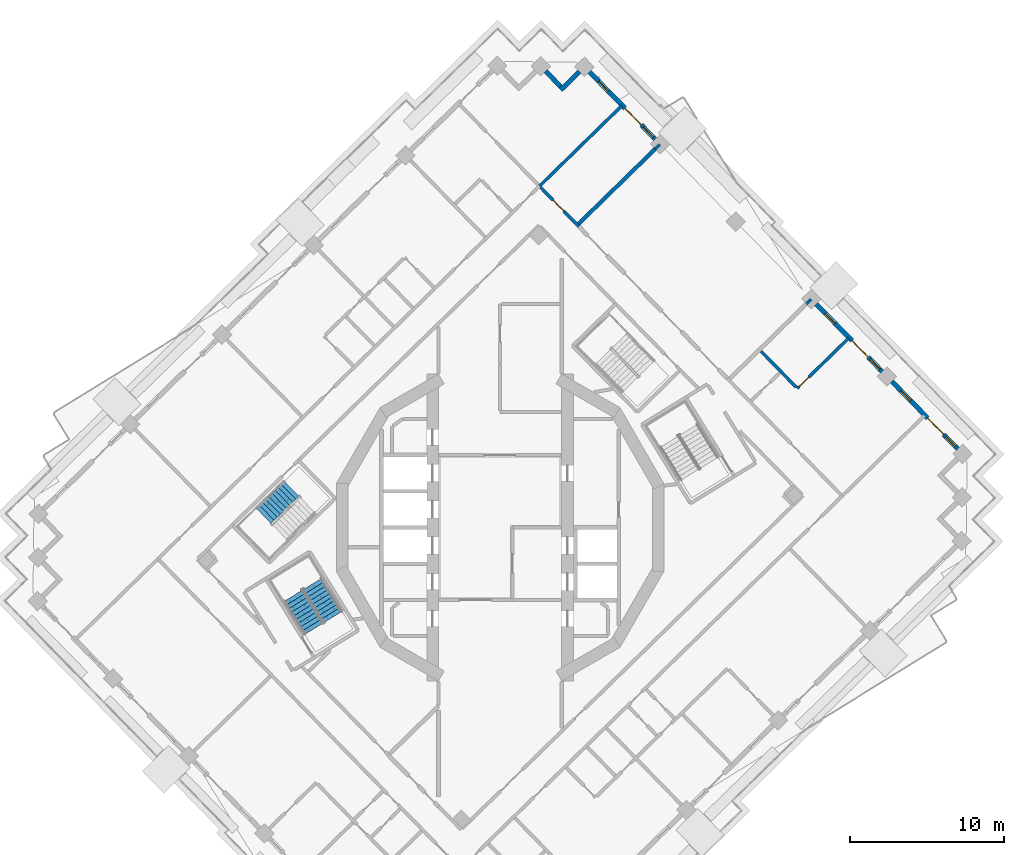
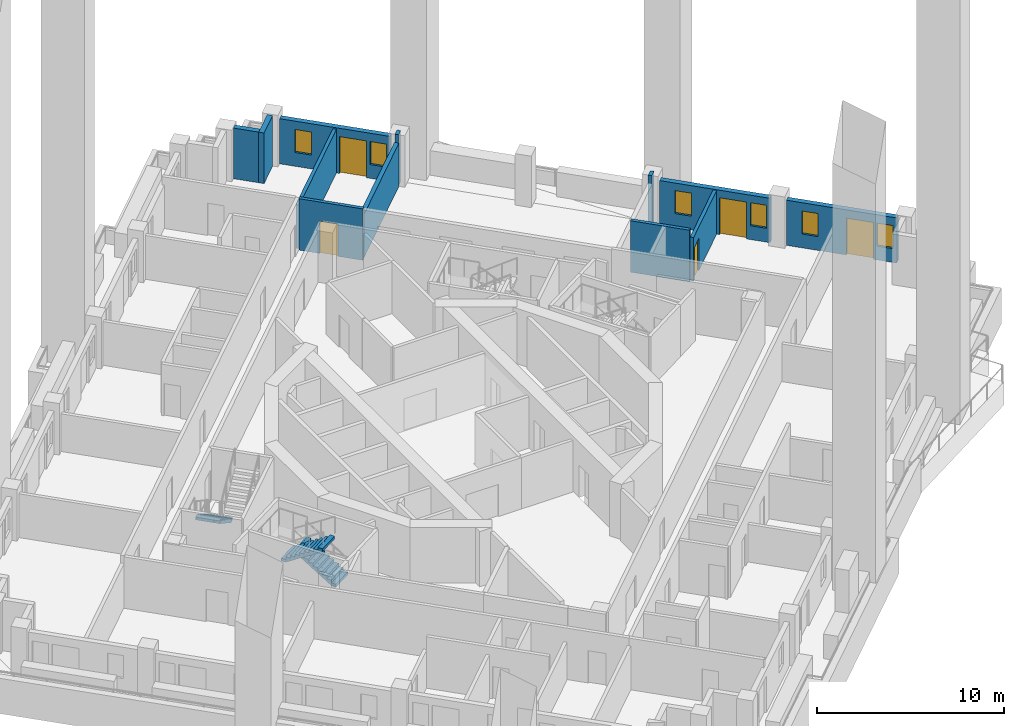
# One storey, part 9 of 17: 12 walls, 6 windows, 5 doors, 3 stair flights, 11 openings, 2 elements without a shape of their own.
"""IFC4 building model written with IfcOpenShell, lengths in metres."""

from ifc_helpers import new_model, si_unit, direction, frame, frame_2d, origin, place, context, subcontext, project, spatial, polyline, rectangle, outline, extrude, material, layer, layer_set, type_object, element, fill, aggregate, save


model = new_model("IFC4")

# Units and contexts
model_context = context("Model", 3, precision=1e-05, world=origin(), true_north=direction((0.0, 1.0)))
body_context = subcontext(model_context, "Body", "Model", "MODEL_VIEW")
ifc_project = project(units=[si_unit("LENGTHUNIT", "METRE"), si_unit("AREAUNIT", "SQUARE_METRE"), si_unit("VOLUMEUNIT", "CUBIC_METRE"), si_unit("PLANEANGLEUNIT", "RADIAN"), si_unit("MASSUNIT", "GRAM", prefix="KILO")], contexts=[model_context])

# Site, building, storey
site_placement = place(None, origin())
site = spatial("IfcSite", under=ifc_project, at=site_placement, CompositionType="ELEMENT")
building_placement = place(site_placement, origin())
building = spatial("IfcBuilding", under=site, at=building_placement, Name="Cantera Rosa Tower", CompositionType="ELEMENT")
storey_placement = place(building_placement, frame((0.0, 0.0, 205.39990234375)))
storey = spatial("IfcBuildingStorey", under=building, at=storey_placement, Name="L43", CompositionType="ELEMENT", Elevation=205.39990234375)

# Wall, opening, door
ifc_material_1 = material(Name="Gypsum board partition")
ifc_layer_1 = layer(ifc_material_1, 0.199951171875)
ifc_layer_set_1 = layer_set([ifc_layer_1], Name="CORRIDOR WALL 200 H3350")
wall_type_1 = type_object("IfcWallType", Name="CORRIDOR WALL 200 H3350", PredefinedType="PARTITIONING", material=ifc_layer_set_1)
wall_1_placement = place(storey_placement, frame((5.10302734375, 19.5322265625, 0.0), z_axis=(0.0, 0.0, 1.0), x_axis=(-0.698794436322, 0.715322539674, 0.0)))
wall_1 = element("IfcWall", 1, at=wall_1_placement, inside=storey, type_object=wall_type_1, Name="CORRIDOR WALL L43-125", PredefinedType="PARTITIONING", context=body_context, shape_type="SweptSolid", body=[
    extrude(rectangle(XDim=3.545166015625, YDim=0.199951171875, at=frame_2d((1.7724609375, 0.0))), origin(), (0.0, 0.0, 1.0), 3.35009765625),
])
opening_1_placement = place(wall_1_placement, frame((1.385009765625, 0.0, 0.0)))
opening_1 = element("IfcOpeningElement", 2, at=opening_1_placement, cuts=wall_1, Name="Opening L43-026", PredefinedType="OPENING", context=body_context, shape_type="SweptSolid", body=[
    extrude(rectangle(XDim=1.0, YDim=2.10009765625, at=frame_2d((0.5, 1.050048828125))), frame((0.0, 0.10986328125, 0.0), z_axis=(0.0, -1.0, 0.0), x_axis=(1.0, 0.0, 0.0)), (0.0, 0.0, 1.0), 0.219970703125),
])
ifc_material_2 = material(Name="Timber door leaf", Category="wood")
door_type_1 = type_object("IfcDoorType", Name="ROOM DOOR 1000x2100", OperationType="NOTDEFINED", PredefinedType="DOOR", material=ifc_material_2)
door_1_placement = place(opening_1_placement, origin())
door_1 = element("IfcDoor", 3, at=door_1_placement, inside=storey, type_object=door_type_1, Name="DOOR L43-026", OperationType="NOTDEFINED", OverallHeight=2.10009765625, OverallWidth=1.0, PredefinedType="DOOR", context=body_context, shape_type="SweptSolid", body=[
    extrude(rectangle(XDim=1.0, YDim=2.10009765625, at=frame_2d((0.5, 1.050048828125))), frame((0.0, 0.02490234375, 0.0), z_axis=(0.0, -1.0, 0.0), x_axis=(1.0, 0.0, 0.0)), (0.0, 0.0, 1.0), 0.050048828125),
])
fill(opening_1, door_1)

# Walls
ifc_material_3 = material(Name="Hollow clay masonry with cantera stone cladding", Category="masonry")
ifc_layer_2 = layer(ifc_material_3, 0.300048828125)
ifc_layer_set_2 = layer_set([ifc_layer_2], Name="EW-LOGGIA 300")
wall_type_2 = type_object("IfcWallType", Name="EW-LOGGIA 300", PredefinedType="SOLIDWALL", material=ifc_layer_set_2)
wall_2_placement = place(storey_placement, frame((5.15283203125, 29.56982421875, 0.0), z_axis=(0.0, 0.0, 1.0), x_axis=(-0.715316077832, -0.69880105094, 0.0)))
element("IfcWall", 4, at=wall_2_placement, inside=storey, type_object=wall_type_2, Name="EN-L43-W05a", PredefinedType="SOLIDWALL", context=body_context, shape_type="SweptSolid", body=[
    extrude(rectangle(XDim=1.699951171875, YDim=0.300048828125, at=frame_2d((0.85009765625, 0.0))), origin(), (0.0, 0.0, 1.0), 3.300048828125),
])
wall_3_placement = place(storey_placement, frame((3.939208984375, 28.593994140625, 0.0), z_axis=(0.0, 0.0, 1.0), x_axis=(-0.698861982187, 0.715256548278, 0.0)))
element("IfcWall", 5, at=wall_3_placement, inside=storey, type_object=wall_type_2, Name="EN-L43-W05b", PredefinedType="SOLIDWALL", context=body_context, shape_type="SweptSolid", body=[
    extrude(rectangle(XDim=1.39990234375, YDim=0.300048828125, at=frame_2d((0.699951171875, 0.0))), origin(), (0.0, 0.0, 1.0), 3.300048828125),
])

# Wall, openings, windows, door
ifc_material_4 = material(Name="Hollow clay masonry with cantera stone cladding", Category="masonry")
ifc_layer_3 = layer(ifc_material_4, 0.300048828125)
ifc_layer_set_3 = layer_set([ifc_layer_3], Name="EW-LOGGIA 300 H2890")
wall_type_3 = type_object("IfcWallType", Name="EW-LOGGIA 300 H2890", PredefinedType="SOLIDWALL", material=ifc_layer_set_3)
wall_4_placement = place(storey_placement, frame((24.783203125, 10.120849609375, 0.0), z_axis=(0.0, 0.0, 1.0), x_axis=(-0.698800768177, 0.715316354067, 0.0)))
wall_4 = element("IfcWall", 6, at=wall_4_placement, inside=storey, type_object=wall_type_3, Name="EN-L43-W01", PredefinedType="SOLIDWALL", context=body_context, shape_type="SweptSolid", body=[
    extrude(rectangle(XDim=6.119873046875, YDim=0.300048828125, at=frame_2d((3.06005859375, 0.0))), origin(), (0.0, 0.0, 1.0), 2.89013671875),
])
opening_2_placement = place(wall_4_placement, frame((0.199951171875, 0.0, 0.89990234375)))
opening_2 = element("IfcOpeningElement", 7, at=opening_2_placement, cuts=wall_4, Name="Opening L43-W01", PredefinedType="OPENING", context=body_context, shape_type="SweptSolid", body=[
    extrude(rectangle(XDim=0.89990234375, YDim=1.5, at=frame_2d((0.449951171875, 0.75))), frame((0.0, 0.159912109375, 0.0), z_axis=(0.0, -1.0, 0.0), x_axis=(1.0, 0.0, 0.0)), (0.0, 0.0, 1.0), 0.320068359375),
])
opening_3_placement = place(wall_4_placement, frame((1.300048828125, 0.0, 0.0)))
opening_3 = element("IfcOpeningElement", 8, at=opening_3_placement, cuts=wall_4, Name="Opening L43-TD02", PredefinedType="OPENING", context=body_context, shape_type="SweptSolid", body=[
    extrude(rectangle(XDim=1.5, YDim=2.39990234375, at=frame_2d((0.75, 1.199951171875))), frame((0.0, 0.159912109375, 0.0), z_axis=(0.0, -1.0, 0.0), x_axis=(1.0, 0.0, 0.0)), (0.0, 0.0, 1.0), 0.320068359375),
])
opening_4_placement = place(wall_4_placement, frame((4.364990234375, 0.0, 0.89990234375)))
opening_4 = element("IfcOpeningElement", 9, at=opening_4_placement, cuts=wall_4, Name="Opening L43-W03", PredefinedType="OPENING", context=body_context, shape_type="SweptSolid", body=[
    extrude(rectangle(XDim=0.89990234375, YDim=1.5, at=frame_2d((0.449951171875, 0.75))), frame((0.0, 0.159912109375, 0.0), z_axis=(0.0, -1.0, 0.0), x_axis=(1.0, 0.0, 0.0)), (0.0, 0.0, 1.0), 0.320068359375),
])
ifc_material_5 = material(Name="Aluminium frame with clear glass", Category="aluminium")
window_type = type_object("IfcWindowType", Name="Residential window 900x1500", PartitioningType="SINGLE_PANEL", PredefinedType="WINDOW", material=ifc_material_5)
window_1_placement = place(opening_2_placement, origin())
window_1 = element("IfcWindow", 10, at=window_1_placement, inside=storey, type_object=window_type, Name="WINDOW L43-W01", OverallHeight=1.5, OverallWidth=0.89990234375, PartitioningType="SINGLE_PANEL", PredefinedType="WINDOW", context=body_context, shape_type="SweptSolid", body=[
    extrude(rectangle(XDim=0.89990234375, YDim=1.5, at=frame_2d((0.449951171875, 0.75))), frame((0.0, 0.030029296875, 0.0), z_axis=(0.0, -1.0, 0.0), x_axis=(1.0, 0.0, 0.0)), (0.0, 0.0, 1.0), 0.06005859375),
])
fill(opening_2, window_1)
window_2_placement = place(opening_4_placement, origin())
window_2 = element("IfcWindow", 11, at=window_2_placement, inside=storey, type_object=window_type, Name="WINDOW L43-W03", OverallHeight=1.5, OverallWidth=0.89990234375, PartitioningType="SINGLE_PANEL", PredefinedType="WINDOW", context=body_context, shape_type="SweptSolid", body=[
    extrude(rectangle(XDim=0.89990234375, YDim=1.5, at=frame_2d((0.449951171875, 0.75))), frame((0.0, 0.030029296875, 0.0), z_axis=(0.0, -1.0, 0.0), x_axis=(1.0, 0.0, 0.0)), (0.0, 0.0, 1.0), 0.06005859375),
])
fill(opening_4, window_2)
ifc_material_6 = material(Name="Aluminium frame with clear glass", Category="aluminium")
door_type_2 = type_object("IfcDoorType", Name="TD-R 1500x2400", OperationType="NOTDEFINED", PredefinedType="DOOR", material=ifc_material_6)
door_2_placement = place(opening_3_placement, origin())
door_2 = element("IfcDoor", 12, at=door_2_placement, inside=storey, type_object=door_type_2, Name="LOGGIA DOOR L43-TD02", OperationType="SLIDING_TO_LEFT", OverallHeight=2.39990234375, OverallWidth=1.5, PredefinedType="DOOR", context=body_context, shape_type="SweptSolid", body=[
    extrude(rectangle(XDim=1.5, YDim=2.39990234375, at=frame_2d((0.75, 1.199951171875))), frame((0.0, 0.02490234375, 0.0), z_axis=(0.0, -1.0, 0.0), x_axis=(1.0, 0.0, 0.0)), (0.0, 0.0, 1.0), 0.050048828125),
])
fill(opening_3, door_2)

ifc_material_7 = material(Name="Hollow clay masonry with cantera stone cladding", Category="masonry")
ifc_layer_4 = layer(ifc_material_7, 0.300048828125)
ifc_layer_set_4 = layer_set([ifc_layer_4], Name="EW-LOGGIA 300 H2940")
wall_type_4 = type_object("IfcWallType", Name="EW-LOGGIA 300 H2940", PredefinedType="SOLIDWALL", material=ifc_layer_set_4)
wall_5_placement = place(storey_placement, frame((10.06591796875, 25.184814453125, 0.0), z_axis=(0.0, 0.0, 1.0), x_axis=(-0.69882117953, 0.715296413412, 0.0)))
wall_5 = element("IfcWall", 13, at=wall_5_placement, inside=storey, type_object=wall_type_4, Name="EN-L43-W04", PredefinedType="SOLIDWALL", context=body_context, shape_type="SweptSolid", body=[
    extrude(rectangle(XDim=6.1201171875, YDim=0.300048828125, at=frame_2d((3.06005859375, 0.0))), origin(), (0.0, 0.0, 1.0), 2.940185546875),
])
opening_5_placement = place(wall_5_placement, frame((0.199951171875, 0.0, 0.89990234375)))
opening_5 = element("IfcOpeningElement", 14, at=opening_5_placement, cuts=wall_5, Name="Opening L43-W04", PredefinedType="OPENING", context=body_context, shape_type="SweptSolid", body=[
    extrude(rectangle(XDim=0.89990234375, YDim=1.5, at=frame_2d((0.449951171875, 0.75))), frame((0.0, 0.159912109375, 0.0), z_axis=(0.0, -1.0, 0.0), x_axis=(1.0, 0.0, 0.0)), (0.0, 0.0, 1.0), 0.320068359375),
])
opening_6_placement = place(wall_5_placement, frame((1.300048828125, 0.0, 0.0)))
opening_6 = element("IfcOpeningElement", 15, at=opening_6_placement, cuts=wall_5, Name="Opening L43-TD05", PredefinedType="OPENING", context=body_context, shape_type="SweptSolid", body=[
    extrude(rectangle(XDim=1.5, YDim=2.39990234375, at=frame_2d((0.75, 1.199951171875))), frame((0.0, 0.159912109375, 0.0), z_axis=(0.0, -1.0, 0.0), x_axis=(1.0, 0.0, 0.0)), (0.0, 0.0, 1.0), 0.320068359375),
])
opening_7_placement = place(wall_5_placement, frame((4.364990234375, 0.0, 0.89990234375)))
opening_7 = element("IfcOpeningElement", 16, at=opening_7_placement, cuts=wall_5, Name="Opening L43-W06", PredefinedType="OPENING", context=body_context, shape_type="SweptSolid", body=[
    extrude(rectangle(XDim=0.89990234375, YDim=1.5, at=frame_2d((0.449951171875, 0.75))), frame((0.0, 0.159912109375, 0.0), z_axis=(0.0, -1.0, 0.0), x_axis=(1.0, 0.0, 0.0)), (0.0, 0.0, 1.0), 0.320068359375),
])
window_3_placement = place(opening_5_placement, origin())
window_3 = element("IfcWindow", 17, at=window_3_placement, inside=storey, type_object=window_type, Name="WINDOW L43-W04", OverallHeight=1.5, OverallWidth=0.89990234375, PartitioningType="SINGLE_PANEL", PredefinedType="WINDOW", context=body_context, shape_type="SweptSolid", body=[
    extrude(rectangle(XDim=0.89990234375, YDim=1.5, at=frame_2d((0.449951171875, 0.75))), frame((0.0, 0.030029296875, 0.0), z_axis=(0.0, -1.0, 0.0), x_axis=(1.0, 0.0, 0.0)), (0.0, 0.0, 1.0), 0.06005859375),
])
fill(opening_5, window_3)
window_4_placement = place(opening_7_placement, origin())
window_4 = element("IfcWindow", 18, at=window_4_placement, inside=storey, type_object=window_type, Name="WINDOW L43-W06", OverallHeight=1.5, OverallWidth=0.89990234375, PartitioningType="SINGLE_PANEL", PredefinedType="WINDOW", context=body_context, shape_type="SweptSolid", body=[
    extrude(rectangle(XDim=0.89990234375, YDim=1.5, at=frame_2d((0.449951171875, 0.75))), frame((0.0, 0.030029296875, 0.0), z_axis=(0.0, -1.0, 0.0), x_axis=(1.0, 0.0, 0.0)), (0.0, 0.0, 1.0), 0.06005859375),
])
fill(opening_7, window_4)
door_3_placement = place(opening_6_placement, origin())
door_3 = element("IfcDoor", 19, at=door_3_placement, inside=storey, type_object=door_type_2, Name="LOGGIA DOOR L43-TD05", OperationType="SLIDING_TO_LEFT", OverallHeight=2.39990234375, OverallWidth=1.5, PredefinedType="DOOR", context=body_context, shape_type="SweptSolid", body=[
    extrude(rectangle(XDim=1.5, YDim=2.39990234375, at=frame_2d((0.75, 1.199951171875))), frame((0.0, 0.02490234375, 0.0), z_axis=(0.0, -1.0, 0.0), x_axis=(1.0, 0.0, 0.0)), (0.0, 0.0, 1.0), 0.050048828125),
])
fill(opening_6, door_3)

wall_6_placement = place(storey_placement, frame((29.689208984375, 5.099609375, 0.0), z_axis=(0.0, 0.0, 1.0), x_axis=(-0.69882117953, 0.715296413412, 0.0)))
wall_6 = element("IfcWall", 20, at=wall_6_placement, inside=storey, type_object=wall_type_4, Name="EN-L43-W28", PredefinedType="SOLIDWALL", context=body_context, shape_type="SweptSolid", body=[
    extrude(rectangle(XDim=6.1201171875, YDim=0.300048828125, at=frame_2d((3.06005859375, 0.0))), origin(), (0.0, 0.0, 1.0), 2.940185546875),
])
opening_8_placement = place(wall_6_placement, frame((0.199951171875, 0.0, 0.89990234375)))
opening_8 = element("IfcOpeningElement", 21, at=opening_8_placement, cuts=wall_6, Name="Opening L43-W52", PredefinedType="OPENING", context=body_context, shape_type="SweptSolid", body=[
    extrude(rectangle(XDim=0.89990234375, YDim=1.5, at=frame_2d((0.449951171875, 0.75))), frame((0.0, 0.159912109375, 0.0), z_axis=(0.0, -1.0, 0.0), x_axis=(1.0, 0.0, 0.0)), (0.0, 0.0, 1.0), 0.320068359375),
])
opening_9_placement = place(wall_6_placement, frame((1.300048828125, 0.0, 0.0)))
opening_9 = element("IfcOpeningElement", 22, at=opening_9_placement, cuts=wall_6, Name="Opening L43-TD53", PredefinedType="OPENING", context=body_context, shape_type="SweptSolid", body=[
    extrude(rectangle(XDim=1.5, YDim=2.39990234375, at=frame_2d((0.75, 1.199951171875))), frame((0.0, 0.159912109375, 0.0), z_axis=(0.0, -1.0, 0.0), x_axis=(1.0, 0.0, 0.0)), (0.0, 0.0, 1.0), 0.320068359375),
])
opening_10_placement = place(wall_6_placement, frame((4.364990234375, 0.0, 0.89990234375)))
opening_10 = element("IfcOpeningElement", 23, at=opening_10_placement, cuts=wall_6, Name="Opening L43-W54", PredefinedType="OPENING", context=body_context, shape_type="SweptSolid", body=[
    extrude(rectangle(XDim=0.89990234375, YDim=1.5, at=frame_2d((0.449951171875, 0.75))), frame((0.0, 0.159912109375, 0.0), z_axis=(0.0, -1.0, 0.0), x_axis=(1.0, 0.0, 0.0)), (0.0, 0.0, 1.0), 0.320068359375),
])
window_5_placement = place(opening_8_placement, origin())
window_5 = element("IfcWindow", 24, at=window_5_placement, inside=storey, type_object=window_type, Name="WINDOW L43-W52", OverallHeight=1.5, OverallWidth=0.89990234375, PartitioningType="SINGLE_PANEL", PredefinedType="WINDOW", context=body_context, shape_type="SweptSolid", body=[
    extrude(rectangle(XDim=0.89990234375, YDim=1.5, at=frame_2d((0.449951171875, 0.75))), frame((0.0, 0.030029296875, 0.0), z_axis=(0.0, -1.0, 0.0), x_axis=(1.0, 0.0, 0.0)), (0.0, 0.0, 1.0), 0.06005859375),
])
fill(opening_8, window_5)
window_6_placement = place(opening_10_placement, origin())
window_6 = element("IfcWindow", 25, at=window_6_placement, inside=storey, type_object=window_type, Name="WINDOW L43-W54", OverallHeight=1.5, OverallWidth=0.89990234375, PartitioningType="SINGLE_PANEL", PredefinedType="WINDOW", context=body_context, shape_type="SweptSolid", body=[
    extrude(rectangle(XDim=0.89990234375, YDim=1.5, at=frame_2d((0.449951171875, 0.75))), frame((0.0, 0.030029296875, 0.0), z_axis=(0.0, -1.0, 0.0), x_axis=(1.0, 0.0, 0.0)), (0.0, 0.0, 1.0), 0.06005859375),
])
fill(opening_10, window_6)
door_4_placement = place(opening_9_placement, origin())
door_4 = element("IfcDoor", 26, at=door_4_placement, inside=storey, type_object=door_type_2, Name="LOGGIA DOOR L43-TD53", OperationType="SLIDING_TO_LEFT", OverallHeight=2.39990234375, OverallWidth=1.5, PredefinedType="DOOR", context=body_context, shape_type="SweptSolid", body=[
    extrude(rectangle(XDim=1.5, YDim=2.39990234375, at=frame_2d((0.75, 1.199951171875))), frame((0.0, 0.02490234375, 0.0), z_axis=(0.0, -1.0, 0.0), x_axis=(1.0, 0.0, 0.0)), (0.0, 0.0, 1.0), 0.050048828125),
])
fill(opening_9, door_4)

# Wall
ifc_material_8 = material(Name="Concrete C40/50", Category="concrete")
ifc_layer_5 = layer(ifc_material_8, 0.25)
ifc_layer_set_5 = layer_set([ifc_layer_5], Name="EW-POCKET CHEEK 250 H2820")
wall_type_5 = type_object("IfcWallType", Name="EW-POCKET CHEEK 250 H2820", PredefinedType="SOLIDWALL", material=ifc_layer_set_5)
wall_7_placement = place(storey_placement, frame((10.05859375, 24.548583984375, 0.0), z_axis=(0.0, 0.0, 1.0), x_axis=(-0.715278984135, -0.69883901927, 0.0)))
element("IfcWall", 27, at=wall_7_placement, inside=storey, type_object=wall_type_5, Name="POCKET CHEEK B L43", PredefinedType="SOLIDWALL", context=body_context, shape_type="SweptSolid", body=[
    extrude(rectangle(XDim=6.949951171875, YDim=0.25, at=frame_2d((3.47509765625, 0.0))), origin(), (0.0, 0.0, 1.0), 2.820068359375),
])

# Wall, opening, door
ifc_material_9 = material(Name="Gypsum board partition")
ifc_layer_6 = layer(ifc_material_9, 0.199951171875)
ifc_layer_set_6 = layer_set([ifc_layer_6], Name="PARTITION 200 H2850")
wall_type_6 = type_object("IfcWallType", Name="PARTITION 200 H2850", PredefinedType="PARTITIONING", material=ifc_layer_set_6)
wall_8_placement = place(storey_placement, frame((22.623291015625, 12.288818359375, 0.0), z_axis=(0.0, 0.0, 1.0), x_axis=(-0.715241248144, -0.698877640903, 0.0)))
wall_8 = element("IfcWall", 28, at=wall_8_placement, inside=storey, type_object=wall_type_6, Name="PARTITION L43-126", PredefinedType="PARTITIONING", context=body_context, shape_type="SweptSolid", body=[
    extrude(rectangle(XDim=4.669921875, YDim=0.199951171875, at=frame_2d((2.3349609375, 0.0))), origin(), (0.0, 0.0, 1.0), 2.85009765625),
])
opening_11_placement = place(wall_8_placement, frame((3.6201171875, 0.0, 0.0)))
opening_11 = element("IfcOpeningElement", 29, at=opening_11_placement, cuts=wall_8, Name="Opening L43-025", PredefinedType="OPENING", context=body_context, shape_type="SweptSolid", body=[
    extrude(rectangle(XDim=0.89990234375, YDim=2.10009765625, at=frame_2d((0.449951171875, 1.050048828125))), frame((0.0, 0.10986328125, 0.0), z_axis=(0.0, -1.0, 0.0), x_axis=(1.0, 0.0, 0.0)), (0.0, 0.0, 1.0), 0.219970703125),
])
ifc_material_10 = material(Name="Timber door leaf", Category="wood")
door_type_3 = type_object("IfcDoorType", Name="ROOM DOOR 900x2100", OperationType="NOTDEFINED", PredefinedType="DOOR", material=ifc_material_10)
door_5_placement = place(opening_11_placement, origin())
door_5 = element("IfcDoor", 30, at=door_5_placement, inside=storey, type_object=door_type_3, Name="DOOR L43-025", OperationType="NOTDEFINED", OverallHeight=2.10009765625, OverallWidth=0.89990234375, PredefinedType="DOOR", context=body_context, shape_type="SweptSolid", body=[
    extrude(rectangle(XDim=0.89990234375, YDim=2.10009765625, at=frame_2d((0.449951171875, 1.050048828125))), frame((0.0, 0.02490234375, 0.0), z_axis=(0.0, -1.0, 0.0), x_axis=(1.0, 0.0, 0.0)), (0.0, 0.0, 1.0), 0.050048828125),
])
fill(opening_11, door_5)

# Walls
ifc_material_11 = material(Name="Gypsum board partition")
ifc_layer_7 = layer(ifc_material_11, 0.199951171875)
ifc_layer_set_7 = layer_set([ifc_layer_7], Name="PARTITION 200 H3350")
wall_type_7 = type_object("IfcWallType", Name="PARTITION 200 H3350", PredefinedType="PARTITIONING", material=ifc_layer_set_7)
wall_9_placement = place(storey_placement, frame((10.35888671875, 24.842041015625, 0.0), z_axis=(0.0, 0.0, 1.0), x_axis=(-0.715200413867, -0.698919428836, 0.0)))
element("IfcWall", 31, at=wall_9_placement, inside=storey, type_object=wall_type_7, Name="PARTITION L43-103", PredefinedType="PARTITIONING", context=body_context, shape_type="SweptSolid", body=[
    extrude(rectangle(XDim=0.419921875, YDim=0.199951171875, at=frame_2d((0.2099609375, 0.0))), origin(), (0.0, 0.0, 1.0), 3.35009765625),
])
wall_10_placement = place(storey_placement, frame((16.924560546875, 11.439208984375, 0.0), z_axis=(0.0, 0.0, 1.0), x_axis=(0.698821145495, -0.715296446663, 0.0)))
element("IfcWall", 32, at=wall_10_placement, inside=storey, type_object=wall_type_7, Name="PARTITION L43-118", PredefinedType="PARTITIONING", context=body_context, shape_type="SweptSolid", body=[
    extrude(rectangle(XDim=3.27490234375, YDim=0.199951171875, at=frame_2d((1.637451171875, 0.0))), origin(), (0.0, 0.0, 1.0), 3.35009765625),
])
ifc_material_12 = material(Name="Gypsum board partition")
ifc_layer_8 = layer(ifc_material_12, 0.199951171875)
ifc_layer_set_8 = layer_set([ifc_layer_8], Name="PARTY WALL 200 H2850")
wall_type_8 = type_object("IfcWallType", Name="PARTY WALL 200 H2850", PredefinedType="PARTITIONING", material=ifc_layer_set_8)
wall_11_placement = place(storey_placement, frame((2.5703125, 22.153564453125, 0.0), z_axis=(0.0, 0.0, 1.0), x_axis=(0.715284364496, 0.698833512296, 0.0)))
element("IfcWall", 33, at=wall_11_placement, inside=storey, type_object=wall_type_8, Name="PARTY WALL L43-075", PredefinedType="PARTITIONING", context=body_context, shape_type="SweptSolid", body=[
    extrude(rectangle(XDim=7.449951171875, YDim=0.199951171875, at=frame_2d((3.72509765625, 0.0))), origin(), (0.0, 0.0, 1.0), 2.85009765625),
])
ifc_material_13 = material(Name="Gypsum board partition")
ifc_layer_9 = layer(ifc_material_13, 0.199951171875)
ifc_layer_set_9 = layer_set([ifc_layer_9], Name="PARTY WALL 200 H3350")
wall_type_9 = type_object("IfcWallType", Name="PARTY WALL 200 H3350", PredefinedType="PARTITIONING", material=ifc_layer_set_9)
wall_12_placement = place(storey_placement, frame((19.8701171875, 14.505859375, 0.0), z_axis=(0.0, 0.0, 1.0), x_axis=(0.715200413867, 0.698919428836, 0.0)))
element("IfcWall", 34, at=wall_12_placement, inside=storey, type_object=wall_type_9, Name="PARTY WALL L43-114", PredefinedType="PARTITIONING", context=body_context, shape_type="SweptSolid", body=[
    extrude(rectangle(XDim=0.419921875, YDim=0.199951171875, at=frame_2d((0.2099609375, 0.0))), origin(), (0.0, 0.0, 1.0), 3.35009765625),
])

# Stair, stair flight
ifc_material_14 = material(Name="Concrete C35/45", Category="concrete")
stair_type = type_object("IfcStairType", Name="EXIT STAIR 1350 DOGLEG", PredefinedType="HALF_TURN_STAIR", material=ifc_material_14)
stair_1_placement = place(storey_placement, origin())
stair_1 = element("IfcStair", 35, at=stair_1_placement, inside=storey, type_object=stair_type, Name="L43 ST-43", PredefinedType="HALF_TURN_STAIR")
ifc_material_15 = material(Name="Concrete C35/45", Category="concrete")
stair_flight_type = type_object("IfcStairFlightType", Name="STAIR FLIGHT 1350 R20x180", PredefinedType="STRAIGHT", material=ifc_material_15)
stair_flight_1_placement = place(storey_placement, frame((-13.522705078125, 2.514892578125, 0.0), z_axis=(0.0, 0.0, 1.0), x_axis=(-0.715286295132, -0.698831536207, 0.0)))
stair_flight_1 = element("IfcStairFlight", 36, at=stair_flight_1_placement, type_object=stair_flight_type, Name="ST-43 flight 1", NumberOfRisers=10, NumberOfTreads=9, PredefinedType="STRAIGHT", RiserHeight=0.18, TreadLength=0.28, context=body_context, shape_type="SweptSolid", body=[
    extrude(outline(polyline([(0.0, 0.0), (0.0, 0.179931640625), (0.280029296875, 0.179931640625), (0.280029296875, 0.360107421875), (0.56005859375, 0.360107421875), (0.56005859375, 0.5400390625), (0.840087890625, 0.5400390625), (0.840087890625, 0.719970703125), (1.1201171875, 0.719970703125), (1.1201171875, 0.89990234375), (1.39990234375, 0.89990234375), (1.39990234375, 1.080078125), (1.679931640625, 1.080078125), (1.679931640625, 1.260009765625), (1.9599609375, 1.260009765625), (1.9599609375, 1.43994140625), (2.239990234375, 1.43994140625), (2.239990234375, 1.6201171875), (2.52001953125, 1.6201171875), (2.52001953125, 1.800048828125), (2.52001953125, 1.44189453125), (0.277099609375, 0.0), (0.0, 0.0)])), frame((0.0, 0.675048828125, 0.0), z_axis=(0.0, -1.0, 0.0), x_axis=(1.0, 0.0, 0.0)), (0.0, 0.0, 1.0), 0.3359375),
    extrude(outline(polyline([(0.0, 0.0), (0.0, 0.179931640625), (0.280029296875, 0.179931640625), (0.280029296875, 0.360107421875), (0.56005859375, 0.360107421875), (0.56005859375, 0.5400390625), (0.840087890625, 0.5400390625), (0.840087890625, 0.719970703125), (1.1201171875, 0.719970703125), (1.1201171875, 0.89990234375), (1.39990234375, 0.89990234375), (1.39990234375, 1.080078125), (1.679931640625, 1.080078125), (1.679931640625, 1.260009765625), (1.9599609375, 1.260009765625), (1.9599609375, 1.43994140625), (2.239990234375, 1.43994140625), (2.239990234375, 1.6201171875), (2.52001953125, 1.6201171875), (2.52001953125, 1.800048828125), (2.52001953125, 1.44189453125), (0.277099609375, 0.0), (0.0, 0.0)])), frame((0.0, 0.337158203125, 0.0), z_axis=(0.0, -1.0, 0.0), x_axis=(1.0, 0.0, 0.0)), (0.0, 0.0, 1.0), 0.3359375),
    extrude(outline(polyline([(0.0, 0.0), (0.0, 0.179931640625), (0.280029296875, 0.179931640625), (0.280029296875, 0.360107421875), (0.56005859375, 0.360107421875), (0.56005859375, 0.5400390625), (0.840087890625, 0.5400390625), (0.840087890625, 0.719970703125), (1.1201171875, 0.719970703125), (1.1201171875, 0.89990234375), (1.39990234375, 0.89990234375), (1.39990234375, 1.080078125), (1.679931640625, 1.080078125), (1.679931640625, 1.260009765625), (1.9599609375, 1.260009765625), (1.9599609375, 1.43994140625), (2.239990234375, 1.43994140625), (2.239990234375, 1.6201171875), (2.52001953125, 1.6201171875), (2.52001953125, 1.800048828125), (2.52001953125, 1.44189453125), (0.277099609375, 0.0), (0.0, 0.0)])), frame((0.0, -0.000732421875, 0.0), z_axis=(0.0, -1.0, 0.0), x_axis=(1.0, 0.0, 0.0)), (0.0, 0.0, 1.0), 0.3359375),
    extrude(outline(polyline([(0.0, 0.0), (0.0, 0.179931640625), (0.280029296875, 0.179931640625), (0.280029296875, 0.360107421875), (0.56005859375, 0.360107421875), (0.56005859375, 0.5400390625), (0.840087890625, 0.5400390625), (0.840087890625, 0.719970703125), (1.1201171875, 0.719970703125), (1.1201171875, 0.89990234375), (1.39990234375, 0.89990234375), (1.39990234375, 1.080078125), (1.679931640625, 1.080078125), (1.679931640625, 1.260009765625), (1.9599609375, 1.260009765625), (1.9599609375, 1.43994140625), (2.239990234375, 1.43994140625), (2.239990234375, 1.6201171875), (2.52001953125, 1.6201171875), (2.52001953125, 1.800048828125), (2.52001953125, 1.44189453125), (0.277099609375, 0.0), (0.0, 0.0)])), frame((0.0, -0.338623046875, 0.0), z_axis=(0.0, -1.0, 0.0), x_axis=(1.0, 0.0, 0.0)), (0.0, 0.0, 1.0), 0.3359375),
])
aggregate(stair_1, [stair_flight_1])

# Stair, stair flights
stair_2_placement = place(storey_placement, origin())
stair_2 = element("IfcStair", 37, at=stair_2_placement, inside=storey, type_object=stair_type, Name="L43 ST-44", PredefinedType="HALF_TURN_STAIR")
stair_flight_2_placement = place(storey_placement, frame((-10.82666015625, -5.7978515625, 0.0), z_axis=(0.0, 0.0, 1.0), x_axis=(-0.524976585286, 0.851116669383, 0.0)))
stair_flight_2 = element("IfcStairFlight", 38, at=stair_flight_2_placement, type_object=stair_flight_type, Name="ST-44 flight 1", NumberOfRisers=10, NumberOfTreads=9, PredefinedType="STRAIGHT", RiserHeight=0.18, TreadLength=0.28, context=body_context, shape_type="SweptSolid", body=[
    extrude(outline(polyline([(0.0, 0.0), (0.0, 0.179931640625), (0.280029296875, 0.179931640625), (0.280029296875, 0.360107421875), (0.56005859375, 0.360107421875), (0.56005859375, 0.5400390625), (0.840087890625, 0.5400390625), (0.840087890625, 0.719970703125), (1.1201171875, 0.719970703125), (1.1201171875, 0.89990234375), (1.39990234375, 0.89990234375), (1.39990234375, 1.080078125), (1.679931640625, 1.080078125), (1.679931640625, 1.260009765625), (1.9599609375, 1.260009765625), (1.9599609375, 1.43994140625), (2.239990234375, 1.43994140625), (2.239990234375, 1.6201171875), (2.52001953125, 1.6201171875), (2.52001953125, 1.800048828125), (2.52001953125, 1.44189453125), (0.277099609375, 0.0), (0.0, 0.0)])), frame((0.0, 0.675048828125, 0.0), z_axis=(0.0, -1.0, 0.0), x_axis=(1.0, 0.0, 0.0)), (0.0, 0.0, 1.0), 0.3359375),
    extrude(outline(polyline([(0.0, 0.0), (0.0, 0.179931640625), (0.280029296875, 0.179931640625), (0.280029296875, 0.360107421875), (0.56005859375, 0.360107421875), (0.56005859375, 0.5400390625), (0.840087890625, 0.5400390625), (0.840087890625, 0.719970703125), (1.1201171875, 0.719970703125), (1.1201171875, 0.89990234375), (1.39990234375, 0.89990234375), (1.39990234375, 1.080078125), (1.679931640625, 1.080078125), (1.679931640625, 1.260009765625), (1.9599609375, 1.260009765625), (1.9599609375, 1.43994140625), (2.239990234375, 1.43994140625), (2.239990234375, 1.6201171875), (2.52001953125, 1.6201171875), (2.52001953125, 1.800048828125), (2.52001953125, 1.44189453125), (0.277099609375, 0.0), (0.0, 0.0)])), frame((0.0, 0.337158203125, 0.0), z_axis=(0.0, -1.0, 0.0), x_axis=(1.0, 0.0, 0.0)), (0.0, 0.0, 1.0), 0.3359375),
    extrude(outline(polyline([(0.0, 0.0), (0.0, 0.179931640625), (0.280029296875, 0.179931640625), (0.280029296875, 0.360107421875), (0.56005859375, 0.360107421875), (0.56005859375, 0.5400390625), (0.840087890625, 0.5400390625), (0.840087890625, 0.719970703125), (1.1201171875, 0.719970703125), (1.1201171875, 0.89990234375), (1.39990234375, 0.89990234375), (1.39990234375, 1.080078125), (1.679931640625, 1.080078125), (1.679931640625, 1.260009765625), (1.9599609375, 1.260009765625), (1.9599609375, 1.43994140625), (2.239990234375, 1.43994140625), (2.239990234375, 1.6201171875), (2.52001953125, 1.6201171875), (2.52001953125, 1.800048828125), (2.52001953125, 1.44189453125), (0.277099609375, 0.0), (0.0, 0.0)])), frame((0.0, -0.000732421875, 0.0), z_axis=(0.0, -1.0, 0.0), x_axis=(1.0, 0.0, 0.0)), (0.0, 0.0, 1.0), 0.3359375),
    extrude(outline(polyline([(0.0, 0.0), (0.0, 0.179931640625), (0.280029296875, 0.179931640625), (0.280029296875, 0.360107421875), (0.56005859375, 0.360107421875), (0.56005859375, 0.5400390625), (0.840087890625, 0.5400390625), (0.840087890625, 0.719970703125), (1.1201171875, 0.719970703125), (1.1201171875, 0.89990234375), (1.39990234375, 0.89990234375), (1.39990234375, 1.080078125), (1.679931640625, 1.080078125), (1.679931640625, 1.260009765625), (1.9599609375, 1.260009765625), (1.9599609375, 1.43994140625), (2.239990234375, 1.43994140625), (2.239990234375, 1.6201171875), (2.52001953125, 1.6201171875), (2.52001953125, 1.800048828125), (2.52001953125, 1.44189453125), (0.277099609375, 0.0), (0.0, 0.0)])), frame((0.0, -0.338623046875, 0.0), z_axis=(0.0, -1.0, 0.0), x_axis=(1.0, 0.0, 0.0)), (0.0, 0.0, 1.0), 0.3359375),
])
stair_flight_3_placement = place(storey_placement, frame((-13.42626953125, -4.4404296875, 1.800048828125), z_axis=(0.0, 0.0, 1.0), x_axis=(0.524976585286, -0.851116669383, 0.0)))
stair_flight_3 = element("IfcStairFlight", 39, at=stair_flight_3_placement, type_object=stair_flight_type, Name="ST-44 flight 2", NumberOfRisers=10, NumberOfTreads=9, PredefinedType="STRAIGHT", RiserHeight=0.18, TreadLength=0.28, context=body_context, shape_type="SweptSolid", body=[
    extrude(outline(polyline([(0.0, 0.0), (0.0, 0.179931640625), (0.280029296875, 0.179931640625), (0.280029296875, 0.360107421875), (0.56005859375, 0.360107421875), (0.56005859375, 0.5400390625), (0.840087890625, 0.5400390625), (0.840087890625, 0.719970703125), (1.1201171875, 0.719970703125), (1.1201171875, 0.89990234375), (1.39990234375, 0.89990234375), (1.39990234375, 1.080078125), (1.679931640625, 1.080078125), (1.679931640625, 1.260009765625), (1.9599609375, 1.260009765625), (1.9599609375, 1.43994140625), (2.239990234375, 1.43994140625), (2.239990234375, 1.6201171875), (2.52001953125, 1.6201171875), (2.52001953125, 1.800048828125), (2.52001953125, 1.44189453125), (0.277099609375, 0.0), (0.0, 0.0)])), frame((0.0, 0.675048828125, 0.0), z_axis=(0.0, -1.0, 0.0), x_axis=(1.0, 0.0, 0.0)), (0.0, 0.0, 1.0), 0.3359375),
    extrude(outline(polyline([(0.0, 0.0), (0.0, 0.179931640625), (0.280029296875, 0.179931640625), (0.280029296875, 0.360107421875), (0.56005859375, 0.360107421875), (0.56005859375, 0.5400390625), (0.840087890625, 0.5400390625), (0.840087890625, 0.719970703125), (1.1201171875, 0.719970703125), (1.1201171875, 0.89990234375), (1.39990234375, 0.89990234375), (1.39990234375, 1.080078125), (1.679931640625, 1.080078125), (1.679931640625, 1.260009765625), (1.9599609375, 1.260009765625), (1.9599609375, 1.43994140625), (2.239990234375, 1.43994140625), (2.239990234375, 1.6201171875), (2.52001953125, 1.6201171875), (2.52001953125, 1.800048828125), (2.52001953125, 1.44189453125), (0.277099609375, 0.0), (0.0, 0.0)])), frame((0.0, 0.337158203125, 0.0), z_axis=(0.0, -1.0, 0.0), x_axis=(1.0, 0.0, 0.0)), (0.0, 0.0, 1.0), 0.3359375),
    extrude(outline(polyline([(0.0, 0.0), (0.0, 0.179931640625), (0.280029296875, 0.179931640625), (0.280029296875, 0.360107421875), (0.56005859375, 0.360107421875), (0.56005859375, 0.5400390625), (0.840087890625, 0.5400390625), (0.840087890625, 0.719970703125), (1.1201171875, 0.719970703125), (1.1201171875, 0.89990234375), (1.39990234375, 0.89990234375), (1.39990234375, 1.080078125), (1.679931640625, 1.080078125), (1.679931640625, 1.260009765625), (1.9599609375, 1.260009765625), (1.9599609375, 1.43994140625), (2.239990234375, 1.43994140625), (2.239990234375, 1.6201171875), (2.52001953125, 1.6201171875), (2.52001953125, 1.800048828125), (2.52001953125, 1.44189453125), (0.277099609375, 0.0), (0.0, 0.0)])), frame((0.0, -0.000732421875, 0.0), z_axis=(0.0, -1.0, 0.0), x_axis=(1.0, 0.0, 0.0)), (0.0, 0.0, 1.0), 0.3359375),
    extrude(outline(polyline([(0.0, 0.0), (0.0, 0.179931640625), (0.280029296875, 0.179931640625), (0.280029296875, 0.360107421875), (0.56005859375, 0.360107421875), (0.56005859375, 0.5400390625), (0.840087890625, 0.5400390625), (0.840087890625, 0.719970703125), (1.1201171875, 0.719970703125), (1.1201171875, 0.89990234375), (1.39990234375, 0.89990234375), (1.39990234375, 1.080078125), (1.679931640625, 1.080078125), (1.679931640625, 1.260009765625), (1.9599609375, 1.260009765625), (1.9599609375, 1.43994140625), (2.239990234375, 1.43994140625), (2.239990234375, 1.6201171875), (2.52001953125, 1.6201171875), (2.52001953125, 1.800048828125), (2.52001953125, 1.44189453125), (0.277099609375, 0.0), (0.0, 0.0)])), frame((0.0, -0.338623046875, 0.0), z_axis=(0.0, -1.0, 0.0), x_axis=(1.0, 0.0, 0.0)), (0.0, 0.0, 1.0), 0.3359375),
])
aggregate(stair_2, [stair_flight_2, stair_flight_3])

save(model, "model.ifc")
